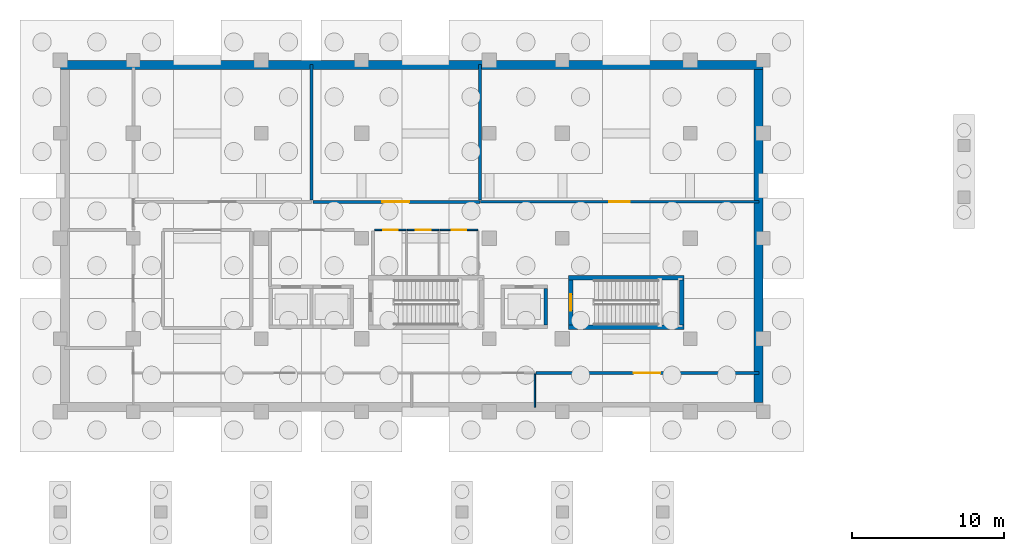
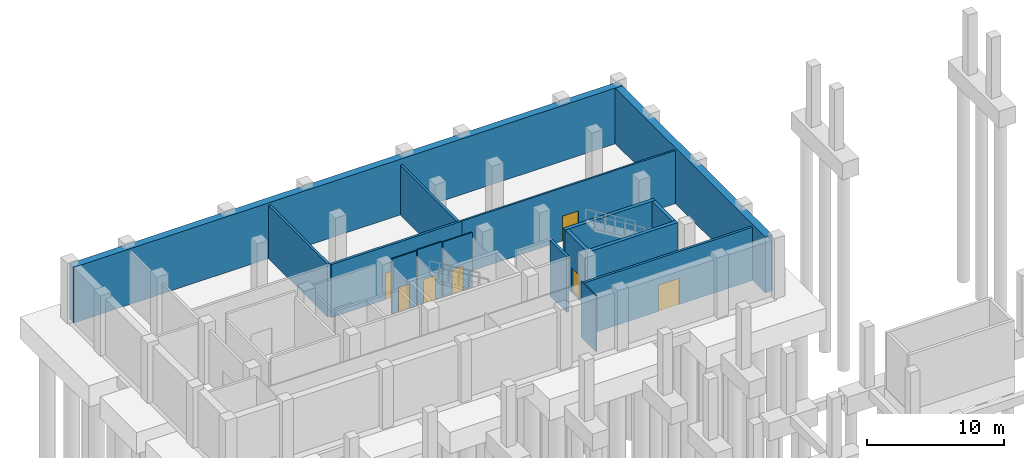
# One storey, part 11 of 23: 16 walls, 7 doors, 7 openings.
"""IFC4 building model written with IfcOpenShell, lengths in metres."""

from ifc_helpers import new_model, si_unit, direction, frame, frame_2d, origin, place, context, subcontext, project, spatial, rectangle, extrude, material, layer, layer_set, type_object, element, fill, save


model = new_model("IFC4")

# Units and contexts
model_context = context("Model", 3, precision=1e-05, world=origin(), true_north=direction((0.0, 1.0)))
body_context = subcontext(model_context, "Body", "Model", "MODEL_VIEW")
ifc_project = project(units=[si_unit("LENGTHUNIT", "METRE"), si_unit("AREAUNIT", "SQUARE_METRE"), si_unit("VOLUMEUNIT", "CUBIC_METRE"), si_unit("PLANEANGLEUNIT", "RADIAN"), si_unit("MASSUNIT", "GRAM", prefix="KILO")], contexts=[model_context])

# Site, building, storey
site_placement = place(None, origin())
site = spatial("IfcSite", under=ifc_project, at=site_placement, CompositionType="ELEMENT")
building_placement = place(site_placement, origin())
building = spatial("IfcBuilding", under=site, at=building_placement, Name="Dornvale Research Institute", CompositionType="ELEMENT")
storey_placement = place(building_placement, frame((0.0, 0.0, -5.39990234375)))
storey = spatial("IfcBuildingStorey", under=building, at=storey_placement, Name="B1", CompositionType="ELEMENT", Elevation=-5.39990234375)

# Wall
ifc_material_1 = material(Name="Fire-Rated Gypsum Board on Cold-Formed Steel Studs", Category="steel")
ifc_layer_1 = layer(ifc_material_1, 0.199951171875)
ifc_layer_set_1 = layer_set([ifc_layer_1], Name="Fire-Rated Gypsum Board on Cold-Formed Steel Studs")
wall_type_1 = type_object("IfcWallType", Name="Partition_FireWall_200", PredefinedType="PARTITIONING", material=ifc_layer_set_1)
wall_1_placement = place(storey_placement, frame((16.5, 112.9150390625, 0.0), z_axis=(0.0, 0.0, 1.0), x_axis=(0.0, 1.0, 0.0)))
element("IfcWall", 1, at=wall_1_placement, inside=storey, type_object=wall_type_1, Name="B1 V5 interior partition #17", PredefinedType="PARTITIONING", context=body_context, shape_type="SweptSolid", body=[
    extrude(rectangle(XDim=8.905029296875, YDim=0.199951171875, at=frame_2d((4.45263671875, 0.0))), origin(), (0.0, 0.0, 1.0), 4.72998046875),
])

# Wall, opening, door
wall_2_placement = place(storey_placement, frame((16.614990234375, 112.800048828125, 0.0), z_axis=(0.0, 0.0, 1.0), x_axis=(1.0, 0.0, 0.0)))
wall_2 = element("IfcWall", 2, at=wall_2_placement, inside=storey, type_object=wall_type_1, Name="B1 V5 interior partition #18", PredefinedType="PARTITIONING", context=body_context, shape_type="SweptSolid", body=[
    extrude(rectangle(XDim=10.985107421875, YDim=0.199951171875, at=frame_2d((5.49267578125, 0.0))), origin(), (0.0, 0.0, 1.0), 4.72998046875),
])
opening_1_placement = place(wall_2_placement, frame((4.554931640625, 0.0, 0.0)))
opening_1 = element("IfcOpeningElement", 3, at=opening_1_placement, cuts=wall_2, Name="Opening ID-14", PredefinedType="OPENING", context=body_context, shape_type="SweptSolid", body=[
    extrude(rectangle(XDim=1.760009765625, YDim=2.35009765625, at=frame_2d((0.8798828125, 1.175048828125))), frame((0.0, 0.114990234375, 0.0), z_axis=(0.0, -1.0, 0.0), x_axis=(1.0, 0.0, 0.0)), (0.0, 0.0, 1.0), 0.22998046875),
])
ifc_material_2 = material(Name="Insulated Fire-Rated Hollow Metal Door Assembly")
door_type_1 = type_object("IfcDoorType", Name="Door_Plant_1760x2350", OperationType="SINGLE_SWING_LEFT", PredefinedType="DOOR", material=ifc_material_2)
door_1_placement = place(opening_1_placement, origin())
door_1 = element("IfcDoor", 4, at=door_1_placement, inside=storey, type_object=door_type_1, Name="B1 Campus Telecommunications Vault door #8", OperationType="DOUBLE_DOOR_SINGLE_SWING", OverallHeight=2.35009765625, OverallWidth=1.760009765625, PredefinedType="DOOR", context=body_context, shape_type="SweptSolid", body=[
    extrude(rectangle(XDim=1.760009765625, YDim=2.35009765625, at=frame_2d((0.8798828125, 1.175048828125))), frame((0.0, 0.02490234375, 0.0), z_axis=(0.0, -1.0, 0.0), x_axis=(1.0, 0.0, 0.0)), (0.0, 0.0, 1.0), 0.050048828125),
])
fill(opening_1, door_1)

# Wall
wall_3_placement = place(storey_placement, frame((27.60009765625, 112.9150390625, 0.0), z_axis=(0.0, 0.0, 1.0), x_axis=(0.0, 1.0, 0.0)))
element("IfcWall", 5, at=wall_3_placement, inside=storey, type_object=wall_type_1, Name="B1 V5 interior partition #19", PredefinedType="PARTITIONING", context=body_context, shape_type="SweptSolid", body=[
    extrude(rectangle(XDim=8.905029296875, YDim=0.199951171875, at=frame_2d((4.45263671875, 0.0))), origin(), (0.0, 0.0, 1.0), 4.429931640625),
])

# Wall, opening, door
wall_4_placement = place(storey_placement, frame((31.264892578125, 101.550048828125, 0.0), z_axis=(0.0, 0.0, 1.0), x_axis=(1.0, 0.0, 0.0)))
wall_4 = element("IfcWall", 6, at=wall_4_placement, inside=storey, type_object=wall_type_1, Name="B1 V5 interior partition #26", PredefinedType="PARTITIONING", context=body_context, shape_type="SweptSolid", body=[
    extrude(rectangle(XDim=14.655029296875, YDim=0.199951171875, at=frame_2d((7.32763671875, 0.0))), origin(), (0.0, 0.0, 1.0), 4.72998046875),
])
opening_2_placement = place(wall_4_placement, frame((6.4150390625, 0.0, 0.0)))
opening_2 = element("IfcOpeningElement", 7, at=opening_2_placement, cuts=wall_4, Name="Opening ID-14", PredefinedType="OPENING", context=body_context, shape_type="SweptSolid", body=[
    extrude(rectangle(XDim=1.760009765625, YDim=2.35009765625, at=frame_2d((0.8798828125, 1.175048828125))), frame((0.0, 0.114990234375, 0.0), z_axis=(0.0, -1.0, 0.0), x_axis=(1.0, 0.0, 0.0)), (0.0, 0.0, 1.0), 0.22998046875),
])
door_2_placement = place(opening_2_placement, origin())
door_2 = element("IfcDoor", 8, at=door_2_placement, inside=storey, type_object=door_type_1, Name="B1 Campus Electrical Switchgear Plant Room door #13", OperationType="DOUBLE_DOOR_SINGLE_SWING", OverallHeight=2.35009765625, OverallWidth=1.760009765625, PredefinedType="DOOR", context=body_context, shape_type="SweptSolid", body=[
    extrude(rectangle(XDim=1.760009765625, YDim=2.35009765625, at=frame_2d((0.8798828125, 1.175048828125))), frame((0.0, 0.02490234375, 0.0), z_axis=(0.0, -1.0, 0.0), x_axis=(1.0, 0.0, 0.0)), (0.0, 0.0, 1.0), 0.050048828125),
])
fill(opening_2, door_2)

ifc_material_3 = material(Name="Acoustic Insulated Double-Stud Laboratory Partition")
ifc_layer_2 = layer(ifc_material_3, 0.14990234375)
ifc_layer_set_2 = layer_set([ifc_layer_2], Name="Acoustic Insulated Double-Stud Laboratory Partition")
wall_type_2 = type_object("IfcWallType", Name="Partition_Lab_150", PredefinedType="PARTITIONING", material=ifc_layer_set_2)
wall_5_placement = place(storey_placement, frame((27.614990234375, 112.800048828125, 0.0), z_axis=(0.0, 0.0, 1.0), x_axis=(1.0, 0.0, 0.0)))
wall_5 = element("IfcWall", 9, at=wall_5_placement, inside=storey, type_object=wall_type_2, Name="B1 V5 interior partition #20", PredefinedType="PARTITIONING", context=body_context, shape_type="SweptSolid", body=[
    extrude(rectangle(XDim=18.304931640625, YDim=0.14990234375, at=frame_2d((9.15234375, 0.0))), origin(), (0.0, 0.0, 1.0), 4.72998046875),
])
opening_3_placement = place(wall_5_placement, frame((8.47509765625, 0.0, 0.0)))
opening_3 = element("IfcOpeningElement", 10, at=opening_3_placement, cuts=wall_5, Name="Opening ID-15", PredefinedType="OPENING", context=body_context, shape_type="SweptSolid", body=[
    extrude(rectangle(XDim=1.340087890625, YDim=2.199951171875, at=frame_2d((0.669921875, 1.10009765625))), frame((0.0, 0.08984375, 0.0), z_axis=(0.0, -1.0, 0.0), x_axis=(1.0, 0.0, 0.0)), (0.0, 0.0, 1.0), 0.179931640625),
])
ifc_material_4 = material(Name="Insulated Fire-Rated Hollow Metal Door Assembly")
door_type_2 = type_object("IfcDoorType", Name="Door_Storage_1340x2200", OperationType="SINGLE_SWING_LEFT", PredefinedType="DOOR", material=ifc_material_4)
door_3_placement = place(opening_3_placement, origin())
door_3 = element("IfcDoor", 11, at=door_3_placement, inside=storey, type_object=door_type_2, Name="B1 Dry Research Equipment Storage Room door #9", OperationType="SINGLE_SWING_RIGHT", OverallHeight=2.199951171875, OverallWidth=1.340087890625, PredefinedType="DOOR", context=body_context, shape_type="SweptSolid", body=[
    extrude(rectangle(XDim=1.340087890625, YDim=2.199951171875, at=frame_2d((0.669921875, 1.10009765625))), frame((0.0, 0.02490234375, 0.0), z_axis=(0.0, -1.0, 0.0), x_axis=(1.0, 0.0, 0.0)), (0.0, 0.0, 1.0), 0.050048828125),
])
fill(opening_3, door_3)

ifc_material_5 = material(Name="Acoustic Insulated Double-Stud Laboratory Partition")
ifc_layer_3 = layer(ifc_material_5, 0.10009765625)
ifc_layer_set_3 = layer_set([ifc_layer_3], Name="Acoustic Insulated Double-Stud Laboratory Partition")
wall_type_3 = type_object("IfcWallType", Name="Partition_Office_100", PredefinedType="PARTITIONING", material=ifc_layer_set_3)
wall_6_placement = place(storey_placement, frame((20.6650390625, 110.949951171875, 0.0), z_axis=(0.0, 0.0, 1.0), x_axis=(1.0, 0.0, 0.0)))
wall_6 = element("IfcWall", 12, at=wall_6_placement, inside=storey, type_object=wall_type_3, Name="B1 V5 interior partition #1", PredefinedType="PARTITIONING", context=body_context, shape_type="SweptSolid", body=[
    extrude(rectangle(XDim=2.0849609375, YDim=0.10009765625, at=frame_2d((1.04248046875, 0.0))), origin(), (0.0, 0.0, 1.0), 4.89501953125),
])
opening_4_placement = place(wall_6_placement, frame((0.56005859375, 0.0, 0.0)))
opening_4 = element("IfcOpeningElement", 13, at=opening_4_placement, cuts=wall_6, Name="Opening ID-23", PredefinedType="OPENING", context=body_context, shape_type="SweptSolid", body=[
    extrude(rectangle(XDim=0.949951171875, YDim=2.14990234375, at=frame_2d((0.47509765625, 1.074951171875))), frame((0.0, 0.06494140625, 0.0), z_axis=(0.0, -1.0, 0.0), x_axis=(1.0, 0.0, 0.0)), (0.0, 0.0, 1.0), 0.130126953125),
])
ifc_material_6 = material(Name="Phenolic-Faced Solid-Core Laboratory Door Assembly")
door_type_3 = type_object("IfcDoorType", Name="Door_WC_950x2150", OperationType="SINGLE_SWING_LEFT", PredefinedType="DOOR", material=ifc_material_6)
door_4_placement = place(opening_4_placement, origin())
door_4 = element("IfcDoor", 14, at=door_4_placement, inside=storey, type_object=door_type_3, Name="B1 Male Restroom B1 door #1", OperationType="SINGLE_SWING_RIGHT", OverallHeight=2.14990234375, OverallWidth=0.949951171875, PredefinedType="DOOR", context=body_context, shape_type="SweptSolid", body=[
    extrude(rectangle(XDim=0.949951171875, YDim=2.14990234375, at=frame_2d((0.47509765625, 1.074951171875))), frame((0.0, 0.02490234375, 0.0), z_axis=(0.0, -1.0, 0.0), x_axis=(1.0, 0.0, 0.0)), (0.0, 0.0, 1.0), 0.050048828125),
])
fill(opening_4, door_4)

wall_7_placement = place(storey_placement, frame((22.81494140625, 110.949951171875, 0.0), z_axis=(0.0, 0.0, 1.0), x_axis=(1.0, 0.0, 0.0)))
wall_7 = element("IfcWall", 15, at=wall_7_placement, inside=storey, type_object=wall_type_3, Name="B1 V5 interior partition #3", PredefinedType="PARTITIONING", context=body_context, shape_type="SweptSolid", body=[
    extrude(rectangle(XDim=2.0849609375, YDim=0.10009765625, at=frame_2d((1.04248046875, 0.0))), origin(), (0.0, 0.0, 1.0), 4.9599609375),
])
opening_5_placement = place(wall_7_placement, frame((0.534912109375, 0.0, 0.0)))
opening_5 = element("IfcOpeningElement", 16, at=opening_5_placement, cuts=wall_7, Name="Opening ID-24", PredefinedType="OPENING", context=body_context, shape_type="SweptSolid", body=[
    extrude(rectangle(XDim=1.0, YDim=2.14990234375, at=frame_2d((0.5, 1.074951171875))), frame((0.0, 0.06494140625, 0.0), z_axis=(0.0, -1.0, 0.0), x_axis=(1.0, 0.0, 0.0)), (0.0, 0.0, 1.0), 0.130126953125),
])
ifc_material_7 = material(Name="Phenolic-Faced Solid-Core Laboratory Door Assembly")
door_type_4 = type_object("IfcDoorType", Name="Door_AccWC_1000x2150", OperationType="SINGLE_SWING_LEFT", PredefinedType="DOOR", material=ifc_material_7)
door_5_placement = place(opening_5_placement, origin())
door_5 = element("IfcDoor", 17, at=door_5_placement, inside=storey, type_object=door_type_4, Name="B1 Female Restroom B1 door #2", OperationType="SINGLE_SWING_LEFT", OverallHeight=2.14990234375, OverallWidth=1.0, PredefinedType="DOOR", context=body_context, shape_type="SweptSolid", body=[
    extrude(rectangle(XDim=1.0, YDim=2.14990234375, at=frame_2d((0.5, 1.074951171875))), frame((0.0, 0.02490234375, 0.0), z_axis=(0.0, -1.0, 0.0), x_axis=(1.0, 0.0, 0.0)), (0.0, 0.0, 1.0), 0.050048828125),
])
fill(opening_5, door_5)

wall_8_placement = place(storey_placement, frame((24.965087890625, 110.949951171875, 0.0), z_axis=(0.0, 0.0, 1.0), x_axis=(1.0, 0.0, 0.0)))
wall_8 = element("IfcWall", 18, at=wall_8_placement, inside=storey, type_object=wall_type_3, Name="B1 V5 interior partition #5", PredefinedType="PARTITIONING", context=body_context, shape_type="SweptSolid", body=[
    extrude(rectangle(XDim=2.48486328125, YDim=0.10009765625, at=frame_2d((1.242431640625, 0.0))), origin(), (0.0, 0.0, 1.0), 4.89501953125),
])
opening_6_placement = place(wall_8_placement, frame((0.760009765625, 0.0, 0.0)))
opening_6 = element("IfcOpeningElement", 19, at=opening_6_placement, cuts=wall_8, Name="Opening ID-23", PredefinedType="OPENING", context=body_context, shape_type="SweptSolid", body=[
    extrude(rectangle(XDim=0.949951171875, YDim=2.14990234375, at=frame_2d((0.47509765625, 1.074951171875))), frame((0.0, 0.06494140625, 0.0), z_axis=(0.0, -1.0, 0.0), x_axis=(1.0, 0.0, 0.0)), (0.0, 0.0, 1.0), 0.130126953125),
])
door_6_placement = place(opening_6_placement, origin())
door_6 = element("IfcDoor", 20, at=door_6_placement, inside=storey, type_object=door_type_3, Name="B1 Accessible Restroom B1 door #3", OperationType="SINGLE_SWING_RIGHT", OverallHeight=2.14990234375, OverallWidth=0.949951171875, PredefinedType="DOOR", context=body_context, shape_type="SweptSolid", body=[
    extrude(rectangle(XDim=0.949951171875, YDim=2.14990234375, at=frame_2d((0.47509765625, 1.074951171875))), frame((0.0, 0.02490234375, 0.0), z_axis=(0.0, -1.0, 0.0), x_axis=(1.0, 0.0, 0.0)), (0.0, 0.0, 1.0), 0.050048828125),
])
fill(opening_6, door_6)

# Walls
wall_9_placement = place(storey_placement, frame((31.199951171875, 99.280029296875, 0.0), z_axis=(0.0, 0.0, 1.0), x_axis=(0.0, 1.0, 0.0)))
element("IfcWall", 21, at=wall_9_placement, inside=storey, type_object=wall_type_3, Name="B1 V5 interior partition #25", PredefinedType="PARTITIONING", context=body_context, shape_type="SweptSolid", body=[
    extrude(rectangle(XDim=2.205078125, YDim=0.10009765625, at=frame_2d((1.1025390625, 0.0))), origin(), (0.0, 0.0, 1.0), 4.9599609375),
])
ifc_material_8 = material(Name="Concrete f'c 40 MPa (C32/40)", Category="concrete")
ifc_layer_4 = layer(ifc_material_8, 0.60009765625)
ifc_layer_set_4 = layer_set([ifc_layer_4], Name="Concrete f'c 40 MPa (C32/40)")
wall_type_4 = type_object("IfcWallType", Name="RetainingWall_RC600_Ext", PredefinedType="USERDEFINED", material=ifc_layer_set_4)
wall_10_placement = place(storey_placement, frame((0.0, 121.800048828125, 0.0), z_axis=(0.0, 0.0, 1.0), x_axis=(1.0, 0.0, 0.0)))
element("IfcWall", 22, at=wall_10_placement, inside=storey, type_object=wall_type_4, Name="Basement perimeter retaining wall #2", ObjectType="RETAININGWALL", PredefinedType="USERDEFINED", context=body_context, shape_type="SweptSolid", body=[
    extrude(rectangle(XDim=46.199951171875, YDim=0.60009765625, at=frame_2d((23.10009765625, 0.0))), origin(), (0.0, 0.0, 1.0), 4.9599609375),
])
wall_11_placement = place(storey_placement, frame((45.89990234375, 99.60009765625, 0.0), z_axis=(0.0, 0.0, 1.0), x_axis=(0.0, 1.0, 0.0)))
element("IfcWall", 23, at=wall_11_placement, inside=storey, type_object=wall_type_4, Name="Basement perimeter retaining wall #4", ObjectType="RETAININGWALL", PredefinedType="USERDEFINED", context=body_context, shape_type="SweptSolid", body=[
    extrude(rectangle(XDim=21.89990234375, YDim=0.60009765625, at=frame_2d((10.949951171875, 0.0))), origin(), (0.0, 0.0, 1.0), 4.9599609375),
])
ifc_material_9 = material(Name="Concrete f'c 50 MPa (C40/50)", Category="concrete")
ifc_layer_5 = layer(ifc_material_9, 0.300048828125)
ifc_layer_set_5 = layer_set([ifc_layer_5], Name="Concrete f'c 50 MPa (C40/50)")
wall_type_5 = type_object("IfcWallType", Name="ShearWall_Core_300", PredefinedType="SHEAR", material=ifc_layer_set_5)
for number, where, z_axis, x_axis, name in (
    (24, (33.39990234375, 104.550048828125, 0.0), (0.0, 0.0, 1.0), (1.0, 0.0, 0.0), "B1 ST-2 shaft shear wall south"),
    (25, (33.39990234375, 107.81005859375, 0.0), (0.0, 0.0, 1.0), (1.0, 0.0, 0.0), "B1 ST-2 shaft shear wall north"),
):
    element("IfcWall", number, at=place(storey_placement, frame(where, z_axis=z_axis, x_axis=x_axis)), inside=storey, type_object=wall_type_5, Name=name, PredefinedType="SHEAR", context=body_context, shape_type="SweptSolid", body=[
        extrude(rectangle(XDim=7.60009765625, YDim=0.300048828125, at=frame_2d((3.800048828125, 0.0))), origin(), (0.0, 0.0, 1.0), 4.97998046875),
    ])

# Wall, opening, door
wall_12_placement = place(storey_placement, frame((33.550048828125, 104.699951171875, 0.0), z_axis=(0.0, 0.0, 1.0), x_axis=(0.0, 1.0, 0.0)))
wall_12 = element("IfcWall", 26, at=wall_12_placement, inside=storey, type_object=wall_type_5, Name="B1 ST-2 shaft shear wall west", PredefinedType="SHEAR", context=body_context, shape_type="SweptSolid", body=[
    extrude(rectangle(XDim=2.9599609375, YDim=0.300048828125, at=frame_2d((1.47998046875, 0.0))), origin(), (0.0, 0.0, 1.0), 4.97998046875),
])
opening_7_placement = place(wall_12_placement, frame((0.93994140625, 0.0, 0.0)))
opening_7 = element("IfcOpeningElement", 27, at=opening_7_placement, cuts=wall_12, Name="Opening SD-02", PredefinedType="OPENING", context=body_context, shape_type="SweptSolid", body=[
    extrude(rectangle(XDim=1.080078125, YDim=2.199951171875, at=frame_2d((0.5400390625, 1.10009765625))), frame((0.0, 0.1650390625, 0.0), z_axis=(0.0, -1.0, 0.0), x_axis=(1.0, 0.0, 0.0)), (0.0, 0.0, 1.0), 0.330078125),
])
ifc_material_10 = material(Name="Insulated Fire-Rated Hollow Metal Door Assembly")
door_type_5 = type_object("IfcDoorType", Name="Door_Stair_1080x2200", OperationType="SINGLE_SWING_LEFT", PredefinedType="DOOR", material=ifc_material_10)
door_7_placement = place(opening_7_placement, origin())
door_7 = element("IfcDoor", 28, at=door_7_placement, inside=storey, type_object=door_type_5, Name="B1 ST-2 exit stair door #13", OperationType="SINGLE_SWING_RIGHT", OverallHeight=2.199951171875, OverallWidth=1.080078125, PredefinedType="DOOR", context=body_context, shape_type="SweptSolid", body=[
    extrude(rectangle(XDim=1.080078125, YDim=2.199951171875, at=frame_2d((0.5400390625, 1.10009765625))), frame((0.0, 0.02490234375, 0.0), z_axis=(0.0, -1.0, 0.0), x_axis=(1.0, 0.0, 0.0)), (0.0, 0.0, 1.0), 0.050048828125),
])
fill(opening_7, door_7)

# Walls
wall_13_placement = place(storey_placement, frame((40.85009765625, 104.699951171875, 0.0), z_axis=(0.0, 0.0, 1.0), x_axis=(0.0, 1.0, 0.0)))
element("IfcWall", 29, at=wall_13_placement, inside=storey, type_object=wall_type_5, Name="B1 ST-2 shaft shear wall east", PredefinedType="SHEAR", context=body_context, shape_type="SweptSolid", body=[
    extrude(rectangle(XDim=2.9599609375, YDim=0.300048828125, at=frame_2d((1.47998046875, 0.0))), origin(), (0.0, 0.0, 1.0), 4.97998046875),
])
ifc_material_11 = material(Name="Concrete f'c 45 MPa (C35/45)", Category="concrete")
ifc_layer_6 = layer(ifc_material_11, 0.219970703125)
ifc_layer_set_6 = layer_set([ifc_layer_6], Name="Concrete f'c 45 MPa (C35/45)")
wall_type_6 = type_object("IfcWallType", Name="ShearWall_Shaft_220", PredefinedType="SHEAR", material=ifc_layer_set_6)
wall_14_placement = place(storey_placement, frame((31.909912109375, 104.699951171875, 0.0), z_axis=(0.0, 0.0, 1.0), x_axis=(0.0, 1.0, 0.0)))
element("IfcWall", 30, at=wall_14_placement, inside=storey, type_object=wall_type_6, Name="B1 LP1 elevator shaft wall east", PredefinedType="SHEAR", context=body_context, shape_type="SweptSolid", body=[
    extrude(rectangle(XDim=2.400146484375, YDim=0.219970703125, at=frame_2d((1.2001953125, 0.0))), origin(), (0.0, 0.0, 1.0), 4.97998046875),
])

save(model, "model.ifc")
